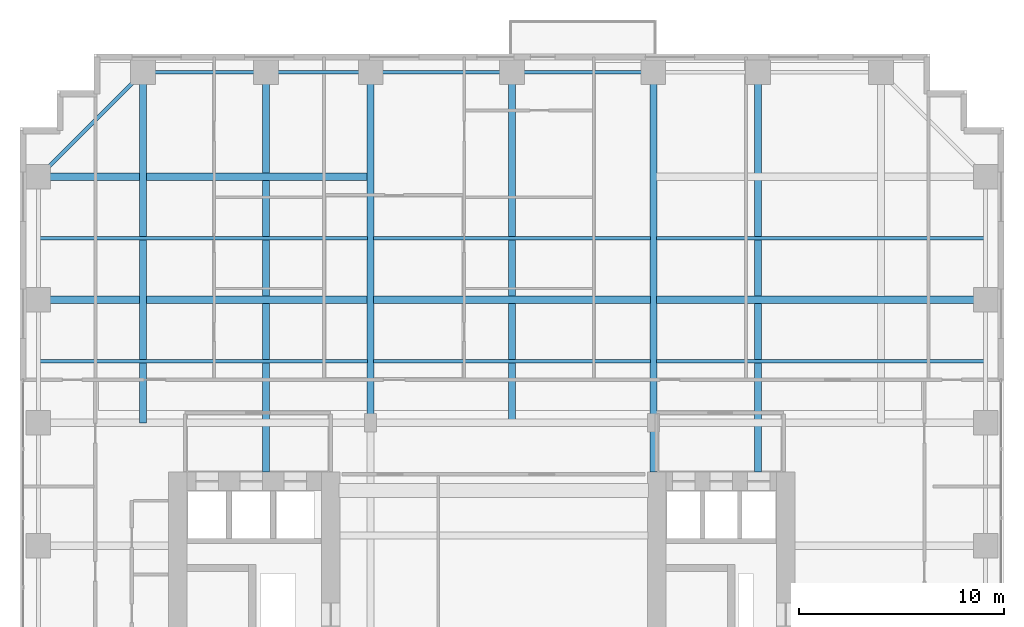
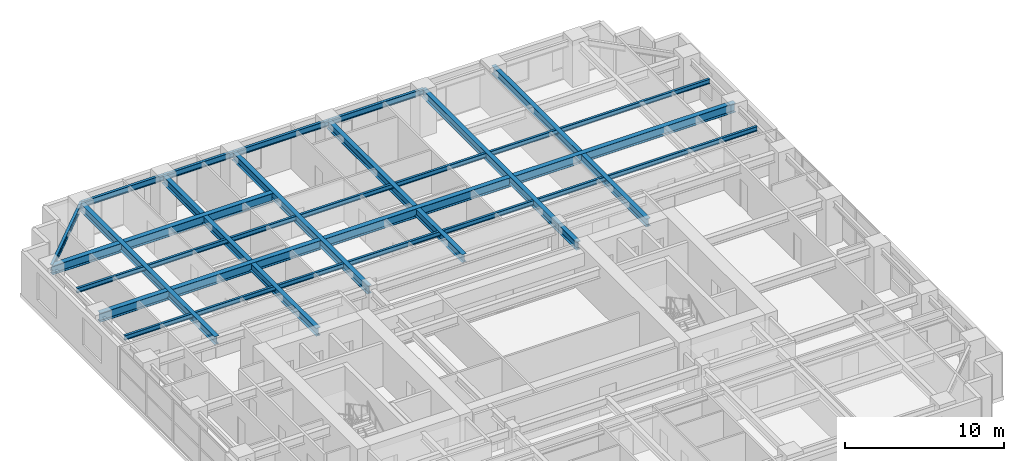
# One storey, part 8 of 19: 21 beams.
"""IFC4 building model written with IfcOpenShell, lengths in metres."""

from ifc_helpers import new_model, si_unit, direction, frame, origin, origin_2d, place, context, subcontext, project, spatial, i_section, extrude, source, transform, mapped, material, material_profile, profile_set, type_object, element, save


model = new_model("IFC4")

# Units and contexts
model_context = context("Model", 3, precision=1e-05, world=origin(), true_north=direction((0.0, 1.0)))
body_context = subcontext(model_context, "Body", "Model", "MODEL_VIEW")
ifc_project = project(units=[si_unit("LENGTHUNIT", "METRE"), si_unit("AREAUNIT", "SQUARE_METRE"), si_unit("VOLUMEUNIT", "CUBIC_METRE"), si_unit("PLANEANGLEUNIT", "RADIAN"), si_unit("MASSUNIT", "GRAM", prefix="KILO")], contexts=[model_context])

# Site, building, storey
site_placement = place(None, origin())
site = spatial("IfcSite", under=ifc_project, at=site_placement, CompositionType="ELEMENT")
building_placement = place(site_placement, origin())
building = spatial("IfcBuilding", under=site, at=building_placement, Name="Khoralis Quay Care Tower", CompositionType="ELEMENT")
storey_placement = place(building_placement, frame((0.0, 0.0, 69.300048828125)))
storey = spatial("IfcBuildingStorey", under=building, at=storey_placement, Name="L18", CompositionType="ELEMENT", Elevation=69.300048828125)

# Beams
ifc_material = material(Name="Steel S355", Category="steel")
ifc_material_profile_1 = material_profile(ifc_material, i_section(OverallWidth=0.18994140625, OverallDepth=0.449951171875, WebThickness=0.009521484375, FlangeThickness=0.0146484375, FilletRadius=0.02099609375, at=origin_2d()), Name="Steel S355")
ifc_profile_set_1 = profile_set([ifc_material_profile_1], Name="Steel S355")
beam_type_1 = type_object("IfcBeamType", Name="BM-IPE450", PredefinedType="SPANDREL", material=ifc_profile_set_1)
shared_shape_1 = source(origin(), body_context, "Body", "SweptSolid", [
    extrude(i_section(OverallWidth=0.18994140625, OverallDepth=0.449951171875, WebThickness=0.009521484375, FlangeThickness=0.0146484375, FilletRadius=0.02099609375, at=origin_2d()), origin(), (0.0, 0.0, 1.0), 6.0),
])
beam_1_placement = place(storey_placement, frame((6.0, 47.10009765625, 3.094970703125), z_axis=(1.0, 0.0, 0.0), x_axis=(0.0, 1.0, 0.0)))
element("IfcBeam", 1, at=beam_1_placement, inside=storey, type_object=beam_type_1, Name="BM-TSP-L18-07", PredefinedType="SPANDREL", context=body_context, shape_type="MappedRepresentation", body=[
    mapped(shared_shape_1, transform((0.0, 0.0, 0.0), scale=1.0)),
])
shared_shape_2 = source(origin(), body_context, "Body", "SweptSolid", [
    extrude(i_section(OverallWidth=0.18994140625, OverallDepth=0.449951171875, WebThickness=0.009521484375, FlangeThickness=0.0146484375, FilletRadius=0.02099609375, at=origin_2d()), origin(), (0.0, 0.0, 1.0), 5.10009765625),
])
beam_2_placement = place(storey_placement, frame((12.0, 47.10009765625, 3.094970703125), z_axis=(1.0, 0.0, 0.0), x_axis=(0.0, 1.0, 0.0)))
element("IfcBeam", 2, at=beam_2_placement, inside=storey, type_object=beam_type_1, Name="BM-TSP-L18-08", PredefinedType="SPANDREL", context=body_context, shape_type="MappedRepresentation", body=[
    mapped(shared_shape_2, transform((0.0, 0.0, 0.0), scale=1.0)),
])
shared_shape_3 = source(origin(), body_context, "Body", "SweptSolid", [
    extrude(i_section(OverallWidth=0.18994140625, OverallDepth=0.449951171875, WebThickness=0.009521484375, FlangeThickness=0.0146484375, FilletRadius=0.02099609375, at=origin_2d()), origin(), (0.0, 0.0, 1.0), 6.89990234375),
])
for number, where, z_axis, x_axis, name in (
    (3, (17.10009765625, 47.10009765625, 3.094970703125), (1.0, 0.0, 0.0), (0.0, 1.0, 0.0), "BM-TSP-L18-09"),
    (4, (24.0, 47.10009765625, 3.094970703125), (1.0, 0.0, 0.0), (0.0, 1.0, 0.0), "BM-TSP-L18-10"),
):
    element("IfcBeam", number, at=place(storey_placement, frame(where, z_axis=z_axis, x_axis=x_axis)), inside=storey, type_object=beam_type_1, Name=name, PredefinedType="SPANDREL", context=body_context, shape_type="MappedRepresentation", body=[
        mapped(shared_shape_3, transform((0.0, 0.0, 0.0), scale=1.0)),
    ])
shared_shape_4 = source(origin(), body_context, "Body", "SweptSolid", [
    extrude(i_section(OverallWidth=0.18994140625, OverallDepth=0.449951171875, WebThickness=0.009521484375, FlangeThickness=0.0146484375, FilletRadius=0.02099609375, at=origin_2d()), origin(), (0.0, 0.0, 1.0), 7.212646484375),
])
beam_3_placement = place(storey_placement, frame((6.0, 47.10009765625, 3.094970703125), z_axis=(-0.707106781187, -0.707106781187, 0.0), x_axis=(0.707106781187, -0.707106781187, 0.0)))
element("IfcBeam", 5, at=beam_3_placement, inside=storey, type_object=beam_type_1, Name="BM-TCR-L18-27", PredefinedType="SPANDREL", context=body_context, shape_type="MappedRepresentation", body=[
    mapped(shared_shape_4, transform((0.0, 0.0, 0.0), scale=1.0)),
])
ifc_material_profile_2 = material_profile(ifc_material, i_section(OverallWidth=0.35498046875, OverallDepth=0.695068359375, WebThickness=0.015380859375, FlangeThickness=0.02490234375, FilletRadius=0.02001953125, at=origin_2d()), Name="Steel S355")
ifc_profile_set_2 = profile_set([ifc_material_profile_2], Name="Steel S355")
beam_type_2 = type_object("IfcBeamType", Name="BM-W690X217", PredefinedType="BEAM", material=ifc_profile_set_2)
shared_shape_5 = source(origin(), body_context, "Body", "SweptSolid", [
    extrude(i_section(OverallWidth=0.35498046875, OverallDepth=0.695068359375, WebThickness=0.015380859375, FlangeThickness=0.02490234375, FilletRadius=0.02001953125, at=origin_2d()), origin(), (0.0, 0.0, 1.0), 16.049560546875),
])
for number, where, z_axis, x_axis, name in (
    (6, (0.89990234375, 36.0, 2.972412109375), (1.0, 0.0, 0.0), (0.0, 1.0, 0.0), "BM-TGXW-L18-360"),
    (7, (0.89990234375, 42.0, 2.972412109375), (1.0, 0.0, 0.0), (0.0, 1.0, 0.0), "BM-TGXW-L18-420"),
    (8, (31.050537109375, 36.0, 2.972412109375), (1.0, 0.0, 0.0), (0.0, 1.0, 0.0), "BM-TGXE-L18-360"),
):
    element("IfcBeam", number, at=place(storey_placement, frame(where, z_axis=z_axis, x_axis=x_axis)), inside=storey, type_object=beam_type_2, Name=name, PredefinedType="BEAM", context=body_context, shape_type="MappedRepresentation", body=[
        mapped(shared_shape_5, transform((0.0, 0.0, 0.0), scale=1.0)),
    ])
shared_shape_6 = source(origin(), body_context, "Body", "SweptSolid", [
    extrude(i_section(OverallWidth=0.35498046875, OverallDepth=0.695068359375, WebThickness=0.015380859375, FlangeThickness=0.02490234375, FilletRadius=0.02001953125, at=origin_2d()), origin(), (0.0, 0.0, 1.0), 13.4990234375),
])
beam_4_placement = place(storey_placement, frame((17.25048828125, 36.0, 2.972412109375), z_axis=(1.0, 0.0, 0.0), x_axis=(0.0, 1.0, 0.0)))
element("IfcBeam", 9, at=beam_4_placement, inside=storey, type_object=beam_type_2, Name="BM-TGCC-L18-360", PredefinedType="BEAM", context=body_context, shape_type="MappedRepresentation", body=[
    mapped(shared_shape_6, transform((0.0, 0.0, 0.0), scale=1.0)),
])
ifc_material_profile_3 = material_profile(ifc_material, i_section(OverallWidth=0.324951171875, OverallDepth=0.615966796875, WebThickness=0.013916015625, FlangeThickness=0.021484375, FilletRadius=0.01806640625, at=origin_2d()), Name="Steel S355")
ifc_profile_set_3 = profile_set([ifc_material_profile_3], Name="Steel S355")
beam_type_3 = type_object("IfcBeamType", Name="BM-W610X174", PredefinedType="BEAM", material=ifc_profile_set_3)
shared_shape_7 = source(origin(), body_context, "Body", "SweptSolid", [
    extrude(i_section(OverallWidth=0.324951171875, OverallDepth=0.615966796875, WebThickness=0.013916015625, FlangeThickness=0.021484375, FilletRadius=0.01806640625, at=origin_2d()), origin(), (0.0, 0.0, 1.0), 17.10009765625),
])
for number, where, z_axis, x_axis, name in (
    (10, (6.0, 30.0, 3.011962890625), (0.0, 1.0, 0.0), (-1.0, 0.0, 0.0), "BM-TGYN-L18-60"),
    (11, (17.10009765625, 30.0, 3.011962890625), (0.0, 1.0, 0.0), (-1.0, 0.0, 0.0), "BM-TGYN-L18-171"),
    (12, (24.0, 30.0, 3.011962890625), (0.0, 1.0, 0.0), (-1.0, 0.0, 0.0), "BM-TGYN-L18-240"),
):
    element("IfcBeam", number, at=place(storey_placement, frame(where, z_axis=z_axis, x_axis=x_axis)), inside=storey, type_object=beam_type_3, Name=name, PredefinedType="BEAM", context=body_context, shape_type="MappedRepresentation", body=[
        mapped(shared_shape_7, transform((0.0, 0.0, 0.0), scale=1.0)),
    ])
shared_shape_8 = source(origin(), body_context, "Body", "SweptSolid", [
    extrude(i_section(OverallWidth=0.324951171875, OverallDepth=0.615966796875, WebThickness=0.013916015625, FlangeThickness=0.021484375, FilletRadius=0.01806640625, at=origin_2d()), origin(), (0.0, 0.0, 1.0), 19.502197265625),
])
for number, where, z_axis, x_axis, name in (
    (13, (12.0, 27.597900390625, 3.011962890625), (0.0, 1.0, 0.0), (-1.0, 0.0, 0.0), "BM-TGYN-L18-120"),
    (14, (30.89990234375, 27.597900390625, 3.011962890625), (0.0, 1.0, 0.0), (-1.0, 0.0, 0.0), "BM-TGYN-L18-309"),
    (15, (36.0, 27.597900390625, 3.011962890625), (0.0, 1.0, 0.0), (-1.0, 0.0, 0.0), "BM-TGYN-L18-360"),
):
    element("IfcBeam", number, at=place(storey_placement, frame(where, z_axis=z_axis, x_axis=x_axis)), inside=storey, type_object=beam_type_3, Name=name, PredefinedType="BEAM", context=body_context, shape_type="MappedRepresentation", body=[
        mapped(shared_shape_8, transform((0.0, 0.0, 0.0), scale=1.0)),
    ])
ifc_material_profile_4 = material_profile(ifc_material, i_section(OverallWidth=0.1708984375, OverallDepth=0.35498046875, WebThickness=0.007080078125, FlangeThickness=0.01171875, FilletRadius=0.012939453125, at=origin_2d()), Name="Steel S355")
ifc_profile_set_4 = profile_set([ifc_material_profile_4], Name="Steel S355")
beam_type_4 = type_object("IfcBeamType", Name="BM-W360X51", PredefinedType="JOIST", material=ifc_profile_set_4)
shared_shape_9 = source(origin(), body_context, "Body", "SweptSolid", [
    extrude(i_section(OverallWidth=0.1708984375, OverallDepth=0.35498046875, WebThickness=0.007080078125, FlangeThickness=0.01171875, FilletRadius=0.012939453125, at=origin_2d()), origin(), (0.0, 0.0, 1.0), 15.968505859375),
])
for number, where, z_axis, x_axis, name in (
    (16, (0.98095703125, 33.0, 3.142333984375), (1.0, 0.0, 0.0), (0.0, 1.0, 0.0), "BM-TJS-L18-32"),
    (17, (31.050537109375, 33.0, 3.142333984375), (1.0, 0.0, 0.0), (0.0, 1.0, 0.0), "BM-TJS-L18-33"),
    (18, (0.98095703125, 39.0, 3.142333984375), (1.0, 0.0, 0.0), (0.0, 1.0, 0.0), "BM-TJS-L18-35"),
    (19, (31.050537109375, 39.0, 3.142333984375), (1.0, 0.0, 0.0), (0.0, 1.0, 0.0), "BM-TJS-L18-36"),
):
    element("IfcBeam", number, at=place(storey_placement, frame(where, z_axis=z_axis, x_axis=x_axis)), inside=storey, type_object=beam_type_4, Name=name, PredefinedType="JOIST", context=body_context, shape_type="MappedRepresentation", body=[
        mapped(shared_shape_9, transform((0.0, 0.0, 0.0), scale=1.0)),
    ])
shared_shape_10 = source(origin(), body_context, "Body", "SweptSolid", [
    extrude(i_section(OverallWidth=0.1708984375, OverallDepth=0.35498046875, WebThickness=0.007080078125, FlangeThickness=0.01171875, FilletRadius=0.012939453125, at=origin_2d()), origin(), (0.0, 0.0, 1.0), 13.4990234375),
])
for number, where, z_axis, x_axis, name in (
    (20, (17.25048828125, 33.0, 3.142333984375), (1.0, 0.0, 0.0), (0.0, 1.0, 0.0), "BM-TJS-L18-34"),
    (21, (17.25048828125, 39.0, 3.142333984375), (1.0, 0.0, 0.0), (0.0, 1.0, 0.0), "BM-TJS-L18-37"),
):
    element("IfcBeam", number, at=place(storey_placement, frame(where, z_axis=z_axis, x_axis=x_axis)), inside=storey, type_object=beam_type_4, Name=name, PredefinedType="JOIST", context=body_context, shape_type="MappedRepresentation", body=[
        mapped(shared_shape_10, transform((0.0, 0.0, 0.0), scale=1.0)),
    ])

save(model, "model.ifc")
